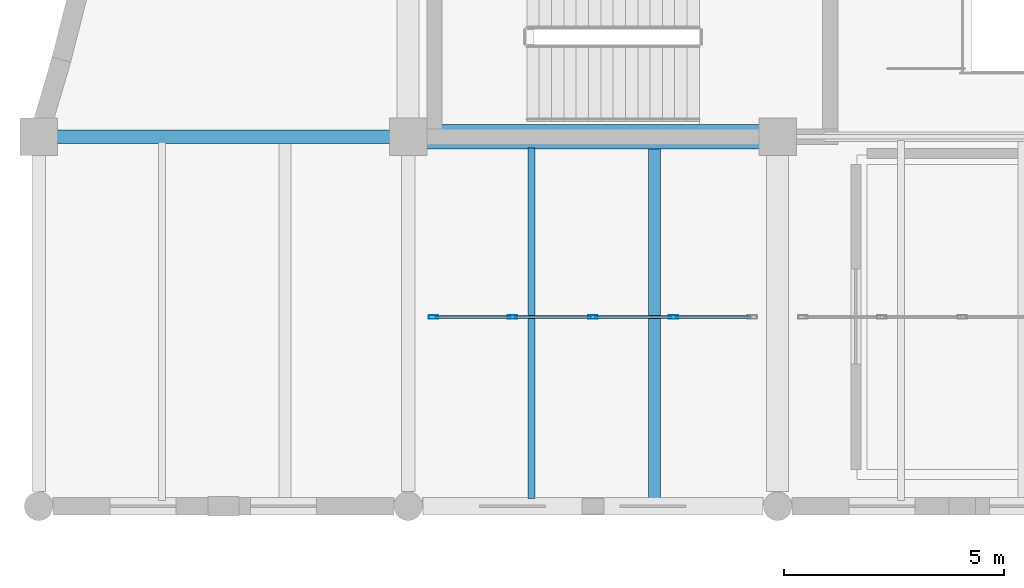
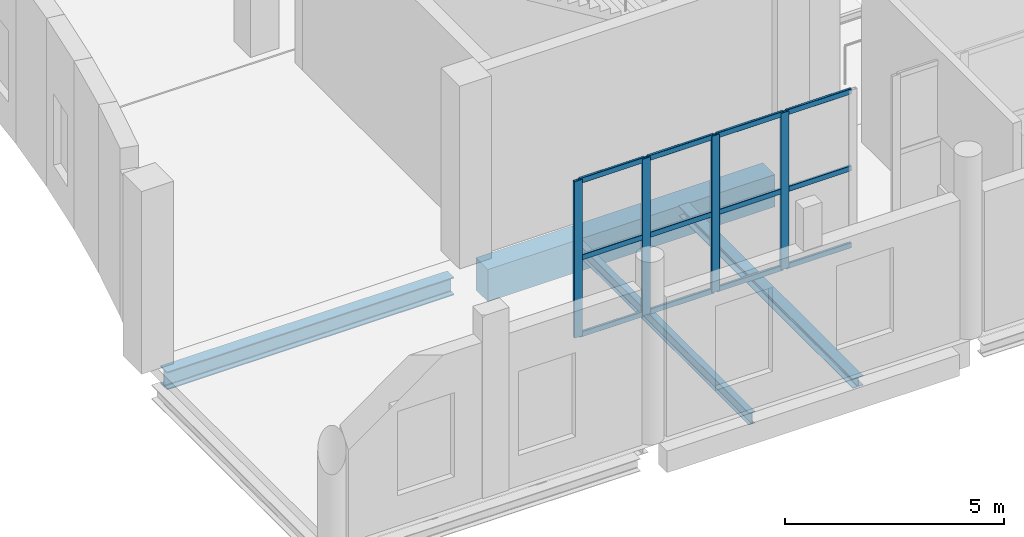
# One storey, part 3 of 73: 16 members, 4 beams, 1 element without a shape of its own.
"""IFC4 building model written with IfcOpenShell, lengths in metres."""

from ifc_helpers import new_model, si_unit, direction, frame, origin, origin_2d, place, context, subcontext, project, spatial, rectangle, hollow_rectangle, i_section, extrude, material, layer, layer_set, material_profile, profile_set, type_object, element, aggregate, save


model = new_model("IFC4")

# Units and contexts
model_context = context("Model", 3, precision=1e-05, world=origin(), true_north=direction((0.0, 1.0)))
body_context = subcontext(model_context, "Body", "Model", "MODEL_VIEW")
ifc_project = project(units=[si_unit("LENGTHUNIT", "METRE"), si_unit("AREAUNIT", "SQUARE_METRE"), si_unit("VOLUMEUNIT", "CUBIC_METRE"), si_unit("PLANEANGLEUNIT", "RADIAN"), si_unit("MASSUNIT", "GRAM", prefix="KILO")], contexts=[model_context])

# Site, building, storey
site_placement = place(None, origin())
site = spatial("IfcSite", under=ifc_project, at=site_placement, CompositionType="ELEMENT")
building_placement = place(site_placement, origin())
building = spatial("IfcBuilding", under=site, at=building_placement, Name="Zulmaris Art Gallery", CompositionType="ELEMENT")
storey_placement = place(building_placement, frame((0.0, 0.0, 10.5)))
storey = spatial("IfcBuildingStorey", under=building, at=storey_placement, Name="L02", CompositionType="ELEMENT", Elevation=10.5)

# Beams
ifc_material_1 = material(Name="Steel S355J2", Category="steel")
ifc_material_profile_1 = material_profile(ifc_material_1, i_section(OverallWidth=0.300048828125, OverallDepth=0.5, WebThickness=0.014404296875, FlangeThickness=0.028076171875, FilletRadius=0.027099609375, at=origin_2d()), Name="HEB 500")
ifc_profile_set_1 = profile_set([ifc_material_profile_1], Name="Steel S355J2")
beam_type_1 = type_object("IfcBeamType", Name="BEAM-BM14", PredefinedType="BEAM", material=ifc_profile_set_1)
beam_1_placement = place(storey_placement, frame((24.409912109375, 21.60009765625, -0.64990234375), z_axis=(1.0, 0.0, 0.0), x_axis=(0.0, 1.0, 0.0)))
element("IfcBeam", 1, at=beam_1_placement, inside=storey, type_object=beam_type_1, Name="L02 X-girder (24.0..32.4, y=21.6)", PredefinedType="BEAM", context=body_context, shape_type="SweptSolid", body=[
    extrude(i_section(OverallWidth=0.300048828125, OverallDepth=0.5, WebThickness=0.014404296875, FlangeThickness=0.028076171875, FilletRadius=0.027099609375, at=origin_2d()), origin(), (0.0, 0.0, 1.0), 7.580078125),
])
ifc_material_2 = material(Name="Concrete C40/50", Category="concrete")
ifc_material_profile_2 = material_profile(ifc_material_2, rectangle(XDim=0.550048828125, YDim=0.89990234375, at=origin_2d()), Name="RC 550x900")
ifc_profile_set_2 = profile_set([ifc_material_profile_2], Name="Concrete C40/50")
beam_type_2 = type_object("IfcBeamType", Name="BEAM-BM21", PredefinedType="BEAM", material=ifc_profile_set_2)
beam_2_placement = place(storey_placement, frame((32.81005859375, 21.60009765625, -0.85009765625), z_axis=(1.0, 0.0, 0.0), x_axis=(0.0, 1.0, 0.0)))
element("IfcBeam", 2, at=beam_2_placement, inside=storey, type_object=beam_type_2, Name="L02 X-girder (32.4..40.8, y=21.6)", PredefinedType="BEAM", context=body_context, shape_type="SweptSolid", body=[
    extrude(rectangle(XDim=0.550048828125, YDim=0.89990234375, at=origin_2d()), origin(), (0.0, 0.0, 1.0), 7.579833984375),
])
ifc_material_profile_3 = material_profile(ifc_material_1, i_section(OverallWidth=0.159912109375, OverallDepth=0.330078125, WebThickness=0.007568359375, FlangeThickness=0.011474609375, FilletRadius=0.01806640625, at=origin_2d()), Name="IPE 330")
ifc_profile_set_3 = profile_set([ifc_material_profile_3], Name="Steel S355J2")
beam_type_3 = type_object("IfcBeamType", Name="BEAM-JS03", PredefinedType="JOIST", material=ifc_profile_set_3)
beam_3_placement = place(storey_placement, frame((35.199951171875, 13.375, -0.56494140625), z_axis=(0.0, 1.0, 0.0), x_axis=(-1.0, 0.0, 0.0)))
element("IfcBeam", 3, at=beam_3_placement, inside=storey, type_object=beam_type_3, Name="L02 secondary joist at x=35.2", PredefinedType="JOIST", context=body_context, shape_type="SweptSolid", body=[
    extrude(i_section(OverallWidth=0.159912109375, OverallDepth=0.330078125, WebThickness=0.007568359375, FlangeThickness=0.011474609375, FilletRadius=0.01806640625, at=origin_2d()), origin(), (0.0, 0.0, 1.0), 7.97509765625),
])
ifc_material_profile_4 = material_profile(ifc_material_1, i_section(OverallWidth=0.280029296875, OverallDepth=0.27001953125, WebThickness=0.008056640625, FlangeThickness=0.012939453125, FilletRadius=0.02392578125, at=origin_2d()), Name="HEA 280")
ifc_profile_set_4 = profile_set([ifc_material_profile_4], Name="Steel S355J2")
beam_type_4 = type_object("IfcBeamType", Name="BEAM-JS04", PredefinedType="JOIST", material=ifc_profile_set_4)
beam_4_placement = place(storey_placement, frame((38.0, 13.375, -0.534912109375), z_axis=(0.0, 1.0, 0.0), x_axis=(-1.0, 0.0, 0.0)))
element("IfcBeam", 4, at=beam_4_placement, inside=storey, type_object=beam_type_4, Name="L02 secondary joist at x=38.0", PredefinedType="JOIST", context=body_context, shape_type="SweptSolid", body=[
    extrude(i_section(OverallWidth=0.280029296875, OverallDepth=0.27001953125, WebThickness=0.008056640625, FlangeThickness=0.012939453125, FilletRadius=0.02392578125, at=origin_2d()), origin(), (0.0, 0.0, 1.0), 7.97509765625),
])

# Curtain wall, members
ifc_material_3 = material(Name="Cloister & Court Glazed Curtain Wall", Category="aluminium")
ifc_layer = layer(ifc_material_3, 0.179931640625)
ifc_layer_set = layer_set([ifc_layer], Name="Cloister & Court Glazed Curtain Wall")
curtain_wall_type = type_object("IfcCurtainWallType", Name="CW-CW03", PredefinedType="NOTDEFINED", material=ifc_layer_set)
curtain_wall_placement = place(storey_placement, origin())
curtain_wall = element("IfcCurtainWall", 5, at=curtain_wall_placement, inside=storey, type_object=curtain_wall_type, Name="L02 curtain wall 57", PredefinedType="NOTDEFINED")
ifc_material_4 = material(Name="Anodised Bronze Aluminium", Category="aluminium")
ifc_material_profile_5 = material_profile(ifc_material_4, hollow_rectangle(XDim=0.074951171875, YDim=0.219970703125, WallThickness=0.0048828125, InnerFilletRadius=0.007568359375, OuterFilletRadius=0.012451171875, at=origin_2d()), Name="ALU 75x220x5")
ifc_profile_set_5 = profile_set([ifc_material_profile_5], Name="Anodised Bronze Aluminium")
member_type_1 = type_object("IfcMemberType", Name="CWMUL-02", PredefinedType="MULLION", material=ifc_profile_set_5)
member_1_placement = place(storey_placement, frame((32.9775390625, 17.5, 0.0), z_axis=(0.0, 0.0, 1.0), x_axis=(0.0, 1.0, 0.0)))
member_1 = element("IfcMember", 6, at=member_1_placement, type_object=member_type_1, Name="CW03 mullion 1", PredefinedType="MULLION", context=body_context, shape_type="SweptSolid", body=[
    extrude(hollow_rectangle(XDim=0.074951171875, YDim=0.219970703125, WallThickness=0.0048828125, InnerFilletRadius=0.007568359375, OuterFilletRadius=0.012451171875, at=origin_2d()), origin(), (0.0, 0.0, 1.0), 4.3701171875),
])
member_2_placement = place(storey_placement, frame((34.77001953125, 17.5, 0.0), z_axis=(0.0, 0.0, 1.0), x_axis=(0.0, 1.0, 0.0)))
member_2 = element("IfcMember", 7, at=member_2_placement, type_object=member_type_1, Name="CW03 mullion 2", PredefinedType="MULLION", context=body_context, shape_type="SweptSolid", body=[
    extrude(hollow_rectangle(XDim=0.074951171875, YDim=0.219970703125, WallThickness=0.0048828125, InnerFilletRadius=0.007568359375, OuterFilletRadius=0.012451171875, at=origin_2d()), origin(), (0.0, 0.0, 1.0), 4.3701171875),
])
member_3_placement = place(storey_placement, frame((36.60009765625, 17.5, 0.0), z_axis=(0.0, 0.0, 1.0), x_axis=(0.0, 1.0, 0.0)))
member_3 = element("IfcMember", 8, at=member_3_placement, type_object=member_type_1, Name="CW03 mullion 3", PredefinedType="MULLION", context=body_context, shape_type="SweptSolid", body=[
    extrude(hollow_rectangle(XDim=0.074951171875, YDim=0.219970703125, WallThickness=0.0048828125, InnerFilletRadius=0.007568359375, OuterFilletRadius=0.012451171875, at=origin_2d()), origin(), (0.0, 0.0, 1.0), 4.3701171875),
])
member_4_placement = place(storey_placement, frame((38.429931640625, 17.5, 0.0), z_axis=(0.0, 0.0, 1.0), x_axis=(0.0, 1.0, 0.0)))
member_4 = element("IfcMember", 9, at=member_4_placement, type_object=member_type_1, Name="CW03 mullion 4", PredefinedType="MULLION", context=body_context, shape_type="SweptSolid", body=[
    extrude(hollow_rectangle(XDim=0.074951171875, YDim=0.219970703125, WallThickness=0.0048828125, InnerFilletRadius=0.007568359375, OuterFilletRadius=0.012451171875, at=origin_2d()), origin(), (0.0, 0.0, 1.0), 4.3701171875),
])
ifc_material_profile_6 = material_profile(ifc_material_4, hollow_rectangle(XDim=0.06494140625, YDim=0.14990234375, WallThickness=0.00390625, InnerFilletRadius=0.006103515625, OuterFilletRadius=0.010009765625, at=origin_2d()), Name="ALU 65x150x4")
ifc_profile_set_6 = profile_set([ifc_material_profile_6], Name="Anodised Bronze Aluminium")
member_type_2 = type_object("IfcMemberType", Name="CWTRN-01", PredefinedType="USERDEFINED", material=ifc_profile_set_6)
member_5_placement = place(storey_placement, frame((33.014892578125, 17.5, 0.03759765625), z_axis=(1.0, 0.0, 0.0), x_axis=(0.0, 1.0, 0.0)))
member_5 = element("IfcMember", 10, at=member_5_placement, type_object=member_type_2, Name="CW03 transom 1.1", ObjectType="TRANSOM", PredefinedType="USERDEFINED", context=body_context, shape_type="SweptSolid", body=[
    extrude(hollow_rectangle(XDim=0.06494140625, YDim=0.14990234375, WallThickness=0.00390625, InnerFilletRadius=0.006103515625, OuterFilletRadius=0.010009765625, at=origin_2d()), origin(), (0.0, 0.0, 1.0), 1.717529296875),
])
member_6_placement = place(storey_placement, frame((33.014892578125, 17.5, 2.18505859375), z_axis=(1.0, 0.0, 0.0), x_axis=(0.0, 1.0, 0.0)))
member_6 = element("IfcMember", 11, at=member_6_placement, type_object=member_type_2, Name="CW03 transom 1.2", ObjectType="TRANSOM", PredefinedType="USERDEFINED", context=body_context, shape_type="SweptSolid", body=[
    extrude(hollow_rectangle(XDim=0.06494140625, YDim=0.14990234375, WallThickness=0.00390625, InnerFilletRadius=0.006103515625, OuterFilletRadius=0.010009765625, at=origin_2d()), origin(), (0.0, 0.0, 1.0), 1.717529296875),
])
member_7_placement = place(storey_placement, frame((33.014892578125, 17.5, 4.33251953125), z_axis=(1.0, 0.0, 0.0), x_axis=(0.0, 1.0, 0.0)))
member_7 = element("IfcMember", 12, at=member_7_placement, type_object=member_type_2, Name="CW03 transom 1.3", ObjectType="TRANSOM", PredefinedType="USERDEFINED", context=body_context, shape_type="SweptSolid", body=[
    extrude(hollow_rectangle(XDim=0.06494140625, YDim=0.14990234375, WallThickness=0.00390625, InnerFilletRadius=0.006103515625, OuterFilletRadius=0.010009765625, at=origin_2d()), origin(), (0.0, 0.0, 1.0), 1.717529296875),
])
member_8_placement = place(storey_placement, frame((34.8076171875, 17.5, 0.03759765625), z_axis=(1.0, 0.0, 0.0), x_axis=(0.0, 1.0, 0.0)))
member_8 = element("IfcMember", 13, at=member_8_placement, type_object=member_type_2, Name="CW03 transom 2.1", ObjectType="TRANSOM", PredefinedType="USERDEFINED", context=body_context, shape_type="SweptSolid", body=[
    extrude(hollow_rectangle(XDim=0.06494140625, YDim=0.14990234375, WallThickness=0.00390625, InnerFilletRadius=0.006103515625, OuterFilletRadius=0.010009765625, at=origin_2d()), origin(), (0.0, 0.0, 1.0), 1.7548828125),
])
member_9_placement = place(storey_placement, frame((34.8076171875, 17.5, 2.18505859375), z_axis=(1.0, 0.0, 0.0), x_axis=(0.0, 1.0, 0.0)))
member_9 = element("IfcMember", 14, at=member_9_placement, type_object=member_type_2, Name="CW03 transom 2.2", ObjectType="TRANSOM", PredefinedType="USERDEFINED", context=body_context, shape_type="SweptSolid", body=[
    extrude(hollow_rectangle(XDim=0.06494140625, YDim=0.14990234375, WallThickness=0.00390625, InnerFilletRadius=0.006103515625, OuterFilletRadius=0.010009765625, at=origin_2d()), origin(), (0.0, 0.0, 1.0), 1.7548828125),
])
member_10_placement = place(storey_placement, frame((34.8076171875, 17.5, 4.33251953125), z_axis=(1.0, 0.0, 0.0), x_axis=(0.0, 1.0, 0.0)))
member_10 = element("IfcMember", 15, at=member_10_placement, type_object=member_type_2, Name="CW03 transom 2.3", ObjectType="TRANSOM", PredefinedType="USERDEFINED", context=body_context, shape_type="SweptSolid", body=[
    extrude(hollow_rectangle(XDim=0.06494140625, YDim=0.14990234375, WallThickness=0.00390625, InnerFilletRadius=0.006103515625, OuterFilletRadius=0.010009765625, at=origin_2d()), origin(), (0.0, 0.0, 1.0), 1.7548828125),
])
member_11_placement = place(storey_placement, frame((36.637451171875, 17.5, 0.03759765625), z_axis=(1.0, 0.0, 0.0), x_axis=(0.0, 1.0, 0.0)))
member_11 = element("IfcMember", 16, at=member_11_placement, type_object=member_type_2, Name="CW03 transom 3.1", ObjectType="TRANSOM", PredefinedType="USERDEFINED", context=body_context, shape_type="SweptSolid", body=[
    extrude(hollow_rectangle(XDim=0.06494140625, YDim=0.14990234375, WallThickness=0.00390625, InnerFilletRadius=0.006103515625, OuterFilletRadius=0.010009765625, at=origin_2d()), origin(), (0.0, 0.0, 1.0), 1.755126953125),
])
member_12_placement = place(storey_placement, frame((36.637451171875, 17.5, 2.18505859375), z_axis=(1.0, 0.0, 0.0), x_axis=(0.0, 1.0, 0.0)))
member_12 = element("IfcMember", 17, at=member_12_placement, type_object=member_type_2, Name="CW03 transom 3.2", ObjectType="TRANSOM", PredefinedType="USERDEFINED", context=body_context, shape_type="SweptSolid", body=[
    extrude(hollow_rectangle(XDim=0.06494140625, YDim=0.14990234375, WallThickness=0.00390625, InnerFilletRadius=0.006103515625, OuterFilletRadius=0.010009765625, at=origin_2d()), origin(), (0.0, 0.0, 1.0), 1.755126953125),
])
member_13_placement = place(storey_placement, frame((36.637451171875, 17.5, 4.33251953125), z_axis=(1.0, 0.0, 0.0), x_axis=(0.0, 1.0, 0.0)))
member_13 = element("IfcMember", 18, at=member_13_placement, type_object=member_type_2, Name="CW03 transom 3.3", ObjectType="TRANSOM", PredefinedType="USERDEFINED", context=body_context, shape_type="SweptSolid", body=[
    extrude(hollow_rectangle(XDim=0.06494140625, YDim=0.14990234375, WallThickness=0.00390625, InnerFilletRadius=0.006103515625, OuterFilletRadius=0.010009765625, at=origin_2d()), origin(), (0.0, 0.0, 1.0), 1.755126953125),
])
member_14_placement = place(storey_placement, frame((38.467529296875, 17.5, 0.03759765625), z_axis=(1.0, 0.0, 0.0), x_axis=(0.0, 1.0, 0.0)))
member_14 = element("IfcMember", 19, at=member_14_placement, type_object=member_type_2, Name="CW03 transom 4.1", ObjectType="TRANSOM", PredefinedType="USERDEFINED", context=body_context, shape_type="SweptSolid", body=[
    extrude(hollow_rectangle(XDim=0.06494140625, YDim=0.14990234375, WallThickness=0.00390625, InnerFilletRadius=0.006103515625, OuterFilletRadius=0.010009765625, at=origin_2d()), origin(), (0.0, 0.0, 1.0), 1.717529296875),
])
member_15_placement = place(storey_placement, frame((38.467529296875, 17.5, 2.18505859375), z_axis=(1.0, 0.0, 0.0), x_axis=(0.0, 1.0, 0.0)))
member_15 = element("IfcMember", 20, at=member_15_placement, type_object=member_type_2, Name="CW03 transom 4.2", ObjectType="TRANSOM", PredefinedType="USERDEFINED", context=body_context, shape_type="SweptSolid", body=[
    extrude(hollow_rectangle(XDim=0.06494140625, YDim=0.14990234375, WallThickness=0.00390625, InnerFilletRadius=0.006103515625, OuterFilletRadius=0.010009765625, at=origin_2d()), origin(), (0.0, 0.0, 1.0), 1.717529296875),
])
member_16_placement = place(storey_placement, frame((38.467529296875, 17.5, 4.33251953125), z_axis=(1.0, 0.0, 0.0), x_axis=(0.0, 1.0, 0.0)))
member_16 = element("IfcMember", 21, at=member_16_placement, type_object=member_type_2, Name="CW03 transom 4.3", ObjectType="TRANSOM", PredefinedType="USERDEFINED", context=body_context, shape_type="SweptSolid", body=[
    extrude(hollow_rectangle(XDim=0.06494140625, YDim=0.14990234375, WallThickness=0.00390625, InnerFilletRadius=0.006103515625, OuterFilletRadius=0.010009765625, at=origin_2d()), origin(), (0.0, 0.0, 1.0), 1.717529296875),
])
aggregate(curtain_wall, [member_1, member_2, member_3, member_4, member_5, member_6, member_7, member_8, member_9, member_10, member_11, member_12, member_13, member_14, member_15, member_16])

save(model, "model.ifc")
